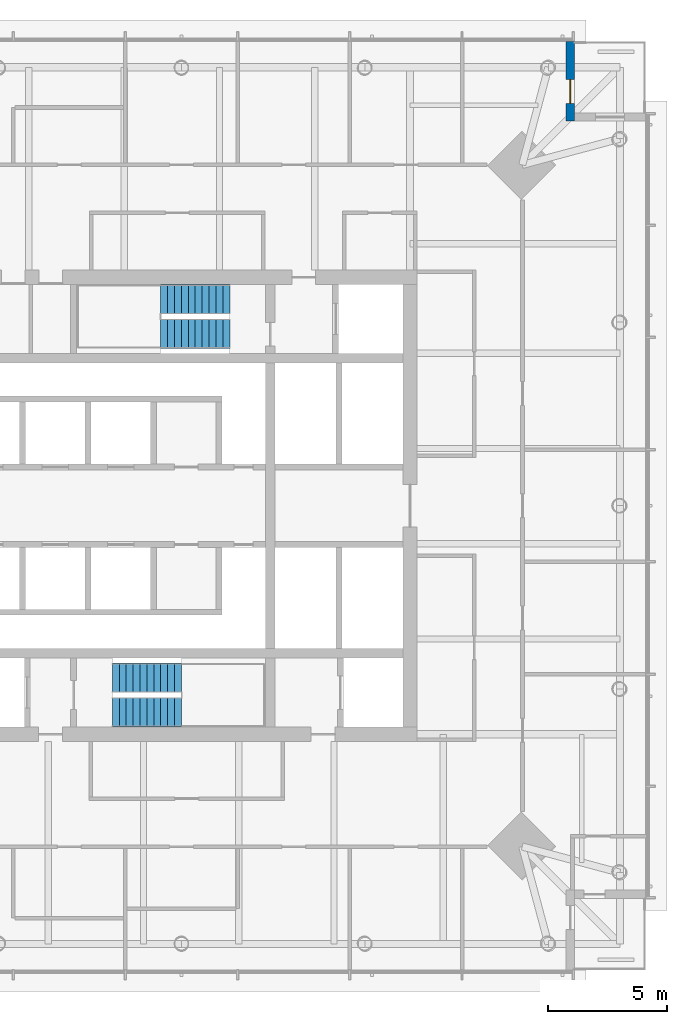
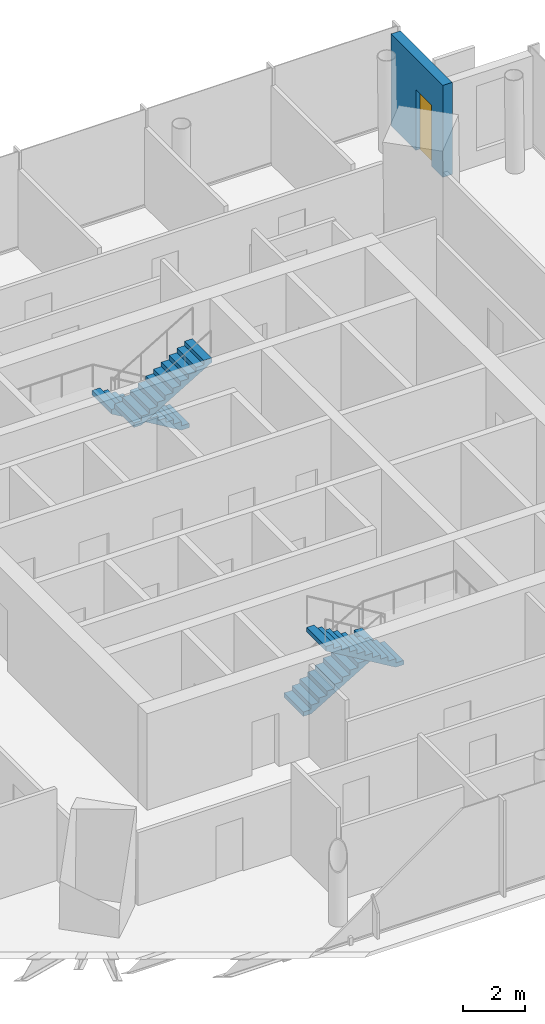
# One storey, part 7 of 11: 4 stair flights, 1 door, 1 wall, 1 opening, 2 elements without a shape of their own.
"""IFC4 building model written with IfcOpenShell, lengths in metres."""

from ifc_helpers import new_model, si_unit, direction, frame, frame_2d, origin, place, context, subcontext, project, spatial, polyline, rectangle, outline, extrude, material, layer, layer_set, type_object, element, fill, aggregate, save


model = new_model("IFC4")

# Units and contexts
model_context = context("Model", 3, precision=1e-05, world=origin(), true_north=direction((0.0, 1.0)))
body_context = subcontext(model_context, "Body", "Model", "MODEL_VIEW")
ifc_project = project(units=[si_unit("LENGTHUNIT", "METRE"), si_unit("AREAUNIT", "SQUARE_METRE"), si_unit("VOLUMEUNIT", "CUBIC_METRE"), si_unit("PLANEANGLEUNIT", "RADIAN"), si_unit("MASSUNIT", "GRAM", prefix="KILO")], contexts=[model_context])

# Site, building, storey
site_placement = place(None, origin())
site = spatial("IfcSite", under=ifc_project, at=site_placement, CompositionType="ELEMENT")
building_placement = place(site_placement, origin())
building = spatial("IfcBuilding", under=site, at=building_placement, Name="Ostroluk Exchange", CompositionType="ELEMENT")
storey_placement = place(building_placement, frame((0.0, 0.0, 195.800048828125)))
storey = spatial("IfcBuildingStorey", under=building, at=storey_placement, Name="L50", CompositionType="ELEMENT", Elevation=195.800048828125)

# Wall, opening, door
ifc_material_1 = material(Name="Limestone", Category="masonry")
ifc_layer = layer(ifc_material_1, 0.35009765625)
ifc_layer_set = layer_set([ifc_layer], Name="Limestone facade wall 350")
wall_type = type_object("IfcWallType", Name="Limestone facade wall 350", PredefinedType="SOLIDWALL", material=ifc_layer_set)
wall_placement = place(storey_placement, frame((61.324951171875, 65.5, 0.0), z_axis=(0.0, 0.0, 1.0), x_axis=(0.0, -1.0, 0.0)))
wall = element("IfcWall", 1, at=wall_placement, inside=storey, type_object=wall_type, Name="Office tower NE corner wall L50 a", PredefinedType="SOLIDWALL", context=body_context, shape_type="SweptSolid", body=[
    extrude(rectangle(XDim=3.35009765625, YDim=0.35009765625, at=frame_2d((1.675048828125, 0.0))), origin(), (0.0, 0.0, 1.0), 3.619873046875),
])
opening_placement = place(wall_placement, frame((1.60009765625, 0.0, 0.0)))
opening = element("IfcOpeningElement", 2, at=opening_placement, cuts=wall, Name="Opening D-B1", PredefinedType="OPENING", context=body_context, shape_type="SweptSolid", body=[
    extrude(rectangle(XDim=1.0, YDim=2.39990234375, at=frame_2d((0.5, 1.199951171875))), frame((0.0, 0.18505859375, 0.0), z_axis=(0.0, -1.0, 0.0), x_axis=(1.0, 0.0, 0.0)), (0.0, 0.0, 1.0), 0.3701171875),
])
ifc_material_2 = material(Name="Bronze framed glazed door", Category="aluminium")
door_type = type_object("IfcDoorType", Name="Balcony door 1000 x 2400", OperationType="SINGLE_SWING_LEFT", PredefinedType="DOOR", material=ifc_material_2)
door_placement = place(opening_placement, origin())
door = element("IfcDoor", 3, at=door_placement, inside=storey, type_object=door_type, Name="Office tower NE balcony door L50", OperationType="SINGLE_SWING_RIGHT", OverallHeight=2.39990234375, OverallWidth=1.0, PredefinedType="DOOR", context=body_context, shape_type="SweptSolid", body=[
    extrude(rectangle(XDim=1.0, YDim=2.39990234375, at=frame_2d((0.5, 1.199951171875))), frame((0.0, 0.02490234375, 0.0), z_axis=(0.0, -1.0, 0.0), x_axis=(1.0, 0.0, 0.0)), (0.0, 0.0, 1.0), 0.050048828125),
])
fill(opening, door)

# Stair, stair flights
ifc_material_3 = material(Name="Concrete C30/37", Category="concrete")
stair_type = type_object("IfcStairType", Name="Exit stair half turn 3800", PredefinedType="HALF_TURN_STAIR", material=ifc_material_3)
stair_1_placement = place(storey_placement, origin())
stair_1 = element("IfcStair", 4, at=stair_1_placement, inside=storey, type_object=stair_type, Name="Stair T1-S1 L50", PredefinedType="HALF_TURN_STAIR")
ifc_material_4 = material(Name="Concrete C30/37", Category="concrete")
stair_flight_type = type_object("IfcStairFlightType", Name="Stair flight 11 risers 172.7 x 290", PredefinedType="STRAIGHT", material=ifc_material_4)
stair_flight_1_placement = place(storey_placement, frame((42.10009765625, 38.77490234375, 0.0), z_axis=(0.0, 0.0, 1.0), x_axis=(1.0, 0.0, 0.0)))
stair_flight_1 = element("IfcStairFlight", 5, at=stair_flight_1_placement, type_object=stair_flight_type, Name="T1-S1 flight 1", NumberOfRisers=11, NumberOfTreads=10, PredefinedType="STRAIGHT", RiserHeight=0.172727273, TreadLength=0.29, context=body_context, shape_type="SweptSolid", body=[
    extrude(outline(polyline([(0.0, 0.0), (0.0, 0.172607421875), (0.2900390625, 0.172607421875), (0.2900390625, 0.345458984375), (0.580078125, 0.345458984375), (0.580078125, 0.51806640625), (0.8701171875, 0.51806640625), (0.8701171875, 0.69091796875), (1.159912109375, 0.69091796875), (1.159912109375, 0.863525390625), (1.449951171875, 0.863525390625), (1.449951171875, 1.036376953125), (1.739990234375, 1.036376953125), (1.739990234375, 1.208984375), (2.030029296875, 1.208984375), (2.030029296875, 1.3818359375), (2.320068359375, 1.3818359375), (2.320068359375, 1.554443359375), (2.610107421875, 1.554443359375), (2.610107421875, 1.727294921875), (2.89990234375, 1.727294921875), (2.89990234375, 1.89990234375), (2.89990234375, 1.552734375), (0.29296875, 0.0), (0.0, 0.0)])), frame((0.0, 0.625, 0.0), z_axis=(0.0, -1.0, 0.0), x_axis=(1.0, 0.0, 0.0)), (0.0, 0.0, 1.0), 1.25),
])
stair_flight_2_placement = place(storey_placement, frame((45.0, 37.324951171875, 1.89990234375), z_axis=(0.0, 0.0, 1.0), x_axis=(-1.0, 0.0, 0.0)))
stair_flight_2 = element("IfcStairFlight", 6, at=stair_flight_2_placement, type_object=stair_flight_type, Name="T1-S1 flight 2", NumberOfRisers=11, NumberOfTreads=10, PredefinedType="STRAIGHT", RiserHeight=0.172727273, TreadLength=0.29, context=body_context, shape_type="SweptSolid", body=[
    extrude(outline(polyline([(0.0, 0.0), (0.0, 0.172607421875), (0.2900390625, 0.172607421875), (0.2900390625, 0.345458984375), (0.580078125, 0.345458984375), (0.580078125, 0.51806640625), (0.8701171875, 0.51806640625), (0.8701171875, 0.69091796875), (1.159912109375, 0.69091796875), (1.159912109375, 0.863525390625), (1.449951171875, 0.863525390625), (1.449951171875, 1.036376953125), (1.739990234375, 1.036376953125), (1.739990234375, 1.208984375), (2.030029296875, 1.208984375), (2.030029296875, 1.3818359375), (2.320068359375, 1.3818359375), (2.320068359375, 1.554443359375), (2.610107421875, 1.554443359375), (2.610107421875, 1.727294921875), (2.89990234375, 1.727294921875), (2.89990234375, 1.89990234375), (2.89990234375, 1.552734375), (0.29296875, 0.0), (0.0, 0.0)])), frame((0.0, 0.625, 0.0), z_axis=(0.0, -1.0, 0.0), x_axis=(1.0, 0.0, 0.0)), (0.0, 0.0, 1.0), 1.25),
])
aggregate(stair_1, [stair_flight_1, stair_flight_2])

stair_2_placement = place(storey_placement, origin())
stair_2 = element("IfcStair", 7, at=stair_2_placement, inside=storey, type_object=stair_type, Name="Stair T1-S2 L50", PredefinedType="HALF_TURN_STAIR")
stair_flight_3_placement = place(storey_placement, frame((47.030029296875, 54.675048828125, 0.0), z_axis=(0.0, 0.0, 1.0), x_axis=(-1.0, 0.0, 0.0)))
stair_flight_3 = element("IfcStairFlight", 8, at=stair_flight_3_placement, type_object=stair_flight_type, Name="T1-S2 flight 1", NumberOfRisers=11, NumberOfTreads=10, PredefinedType="STRAIGHT", RiserHeight=0.172727273, TreadLength=0.29, context=body_context, shape_type="SweptSolid", body=[
    extrude(outline(polyline([(0.0, 0.0), (0.0, 0.172607421875), (0.2900390625, 0.172607421875), (0.2900390625, 0.345458984375), (0.580078125, 0.345458984375), (0.580078125, 0.51806640625), (0.8701171875, 0.51806640625), (0.8701171875, 0.69091796875), (1.159912109375, 0.69091796875), (1.159912109375, 0.863525390625), (1.449951171875, 0.863525390625), (1.449951171875, 1.036376953125), (1.739990234375, 1.036376953125), (1.739990234375, 1.208984375), (2.030029296875, 1.208984375), (2.030029296875, 1.3818359375), (2.320068359375, 1.3818359375), (2.320068359375, 1.554443359375), (2.610107421875, 1.554443359375), (2.610107421875, 1.727294921875), (2.89990234375, 1.727294921875), (2.89990234375, 1.89990234375), (2.89990234375, 1.552734375), (0.29296875, 0.0), (0.0, 0.0)])), frame((0.0, 0.625, 0.0), z_axis=(0.0, -1.0, 0.0), x_axis=(1.0, 0.0, 0.0)), (0.0, 0.0, 1.0), 1.25),
])
stair_flight_4_placement = place(storey_placement, frame((44.1298828125, 53.22509765625, 1.89990234375), z_axis=(0.0, 0.0, 1.0), x_axis=(1.0, 0.0, 0.0)))
stair_flight_4 = element("IfcStairFlight", 9, at=stair_flight_4_placement, type_object=stair_flight_type, Name="T1-S2 flight 2", NumberOfRisers=11, NumberOfTreads=10, PredefinedType="STRAIGHT", RiserHeight=0.172727273, TreadLength=0.29, context=body_context, shape_type="SweptSolid", body=[
    extrude(outline(polyline([(0.0, 0.0), (0.0, 0.172607421875), (0.2900390625, 0.172607421875), (0.2900390625, 0.345458984375), (0.580078125, 0.345458984375), (0.580078125, 0.51806640625), (0.8701171875, 0.51806640625), (0.8701171875, 0.69091796875), (1.159912109375, 0.69091796875), (1.159912109375, 0.863525390625), (1.449951171875, 0.863525390625), (1.449951171875, 1.036376953125), (1.739990234375, 1.036376953125), (1.739990234375, 1.208984375), (2.030029296875, 1.208984375), (2.030029296875, 1.3818359375), (2.320068359375, 1.3818359375), (2.320068359375, 1.554443359375), (2.610107421875, 1.554443359375), (2.610107421875, 1.727294921875), (2.89990234375, 1.727294921875), (2.89990234375, 1.89990234375), (2.89990234375, 1.552734375), (0.29296875, 0.0), (0.0, 0.0)])), frame((0.0, 0.625, 0.0), z_axis=(0.0, -1.0, 0.0), x_axis=(1.0, 0.0, 0.0)), (0.0, 0.0, 1.0), 1.25),
])
aggregate(stair_2, [stair_flight_3, stair_flight_4])

save(model, "model.ifc")
